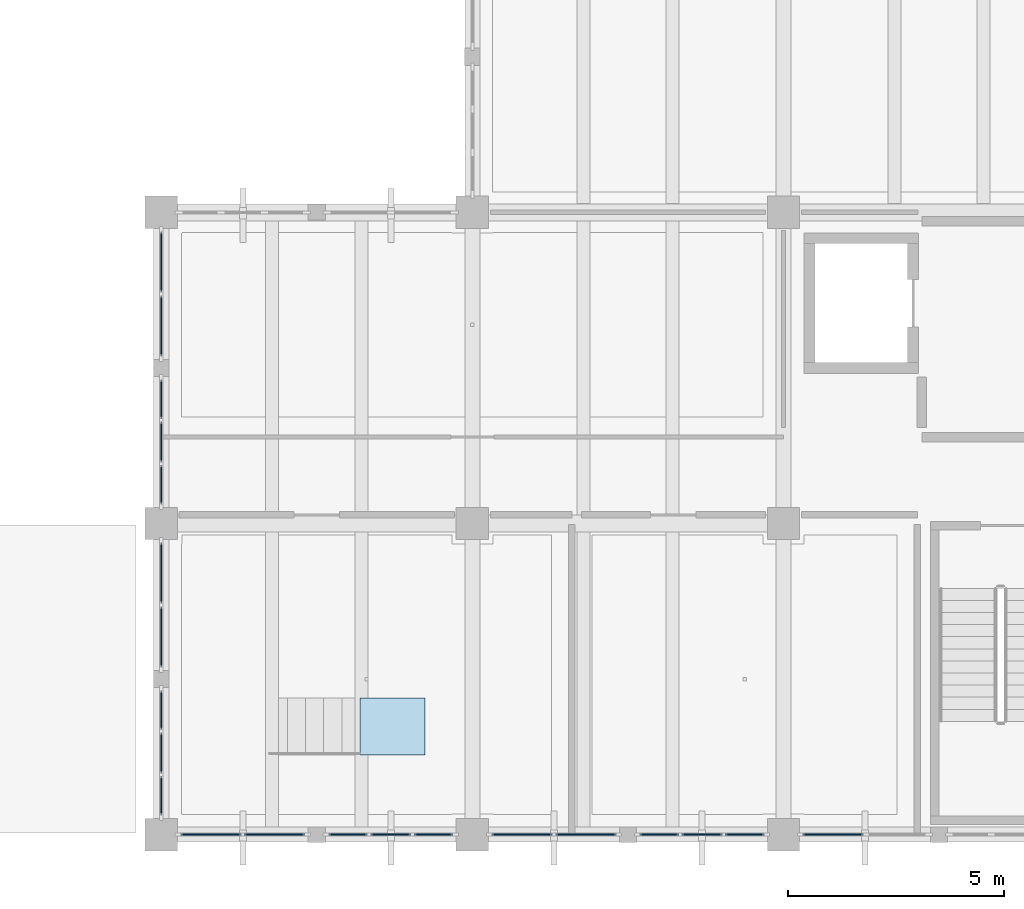
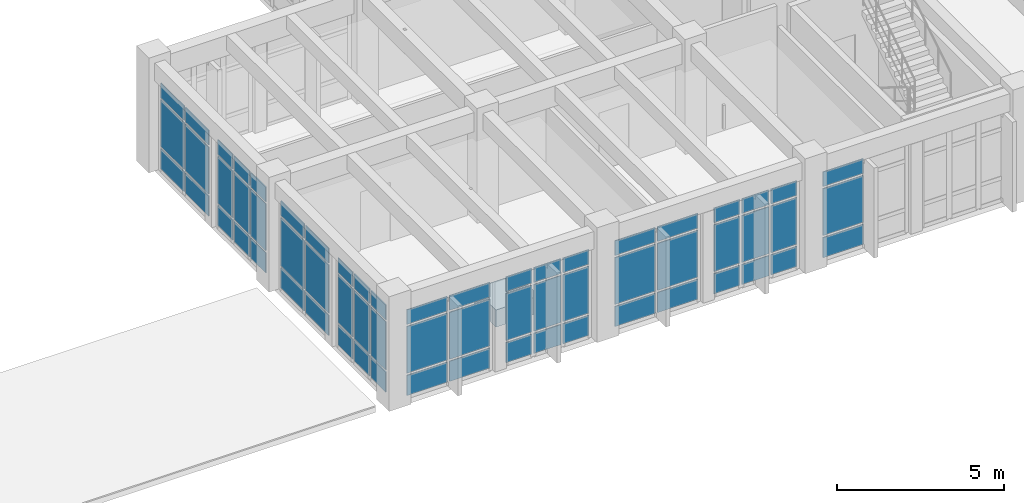
# One storey, part 86 of 136: 63 plates, 1 slab, 9 elements without a shape of their own.
"""IFC4 building model written with IfcOpenShell, lengths in metres."""

from ifc_helpers import new_model, si_unit, direction, frame, origin, origin_2d, place, context, subcontext, project, spatial, polyline, rectangle, outline, extrude, material, layer, layer_set, type_object, element, aggregate, save


model = new_model("IFC4")

# Units and contexts
model_context = context("Model", 3, precision=1e-05, world=origin(), true_north=direction((0.0, 1.0)))
body_context = subcontext(model_context, "Body", "Model", "MODEL_VIEW")
ifc_project = project(units=[si_unit("LENGTHUNIT", "METRE"), si_unit("AREAUNIT", "SQUARE_METRE"), si_unit("VOLUMEUNIT", "CUBIC_METRE"), si_unit("PLANEANGLEUNIT", "RADIAN"), si_unit("MASSUNIT", "GRAM", prefix="KILO")], contexts=[model_context])

# Site, building, storey
site_placement = place(None, origin())
site = spatial("IfcSite", under=ifc_project, at=site_placement, CompositionType="ELEMENT")
building_placement = place(site_placement, origin())
building = spatial("IfcBuilding", under=site, at=building_placement, Name="Koriwan Promenade Central Fire Station", CompositionType="ELEMENT")
storey_placement = place(building_placement, frame((0.0, 0.0, 5.39990234375)))
storey = spatial("IfcBuildingStorey", under=building, at=storey_placement, Name="L01", CompositionType="ELEMENT", Elevation=5.39990234375)

# Curtain wall, plates
ifc_material_1 = material(Name="Aluminium EN AW-6063-T6 and low-E glazing", Category="aluminium")
ifc_layer_1 = layer(ifc_material_1, 0.159912109375, Name="Aluminium EN AW-6063-T6 and low-E glazing")
ifc_layer_set_1 = layer_set([ifc_layer_1], Name="Aluminium EN AW-6063-T6 and low-E glazing")
curtain_wall_type_1 = type_object("IfcCurtainWallType", Name="CurtainWall_08_303x329", PredefinedType="USERDEFINED", material=ifc_layer_set_1)
curtain_wall_1_placement = place(storey_placement, origin())
curtain_wall_1 = element("IfcCurtainWall", 1, at=curtain_wall_1_placement, inside=storey, type_object=curtain_wall_type_1, Name="V5 L01 unitised curtain wall 164", ObjectType="UNITISED CURTAIN WALL", PredefinedType="USERDEFINED")
ifc_material_2 = material(Name="Solar-control low-E acoustic glazing", Category="glass")
ifc_layer_2 = layer(ifc_material_2, 0.031982421875, Name="Solar-control low-E acoustic glazing")
ifc_layer_set_2 = layer_set([ifc_layer_2], Name="Solar-control low-E acoustic glazing")
plate_type = type_object("IfcPlateType", Name="CWPanel_32", PredefinedType="CURTAIN_PANEL", material=ifc_layer_set_2)
plate_1_placement = place(storey_placement, frame((159.550048828125, 0.0, 0.0751953125), z_axis=(0.0, 0.0, 1.0), x_axis=(-1.0, 0.0, 0.0)))
plate_1 = element("IfcPlate", 2, at=plate_1_placement, type_object=plate_type, Name="CW-08 panel 2.1", PredefinedType="CURTAIN_PANEL", context=body_context, shape_type="SweptSolid", body=[
    extrude(rectangle(XDim=1.39990234375, YDim=0.031982421875, at=origin_2d()), origin(), (0.0, 0.0, 1.0), 0.737548828125),
])
plate_2_placement = place(storey_placement, frame((159.550048828125, 0.0, 0.8876953125), z_axis=(0.0, 0.0, 1.0), x_axis=(-1.0, 0.0, 0.0)))
plate_2 = element("IfcPlate", 3, at=plate_2_placement, type_object=plate_type, Name="CW-08 panel 2.2", PredefinedType="CURTAIN_PANEL", context=body_context, shape_type="SweptSolid", body=[
    extrude(rectangle(XDim=1.39990234375, YDim=0.031982421875, at=origin_2d()), origin(), (0.0, 0.0, 1.0), 1.715087890625),
])
plate_3_placement = place(storey_placement, frame((159.550048828125, 0.0, 2.677490234375), z_axis=(0.0, 0.0, 1.0), x_axis=(-1.0, 0.0, 0.0)))
plate_3 = element("IfcPlate", 4, at=plate_3_placement, type_object=plate_type, Name="CW-08 panel 2.3", PredefinedType="CURTAIN_PANEL", context=body_context, shape_type="SweptSolid", body=[
    extrude(rectangle(XDim=1.39990234375, YDim=0.031982421875, at=origin_2d()), origin(), (0.0, 0.0, 1.0), 0.53759765625),
])
aggregate(curtain_wall_1, [plate_1, plate_2, plate_3])

ifc_layer_3 = layer(ifc_material_1, 0.159912109375, Name="Aluminium EN AW-6063-T6 and low-E glazing")
ifc_layer_set_3 = layer_set([ifc_layer_3], Name="Aluminium EN AW-6063-T6 and low-E glazing")
curtain_wall_type_2 = type_object("IfcCurtainWallType", Name="CurtainWall_61_303x329", PredefinedType="USERDEFINED", material=ifc_layer_set_3)
curtain_wall_2_placement = place(storey_placement, origin())
curtain_wall_2 = element("IfcCurtainWall", 5, at=curtain_wall_2_placement, inside=storey, type_object=curtain_wall_type_2, Name="V5 L01 unitised curtain wall 165", ObjectType="UNITISED CURTAIN WALL", PredefinedType="USERDEFINED")
plate_4_placement = place(storey_placement, frame((157.502197265625, 0.0, 0.0751953125), z_axis=(0.0, 0.0, 1.0), x_axis=(-1.0, 0.0, 0.0)))
plate_4 = element("IfcPlate", 6, at=plate_4_placement, type_object=plate_type, Name="CW-61 panel 1.1", PredefinedType="CURTAIN_PANEL", context=body_context, shape_type="SweptSolid", body=[
    extrude(rectangle(XDim=0.895751953125, YDim=0.031982421875, at=origin_2d()), origin(), (0.0, 0.0, 1.0), 0.737548828125),
])
plate_5_placement = place(storey_placement, frame((157.502197265625, 0.0, 0.8876953125), z_axis=(0.0, 0.0, 1.0), x_axis=(-1.0, 0.0, 0.0)))
plate_5 = element("IfcPlate", 7, at=plate_5_placement, type_object=plate_type, Name="CW-61 panel 1.2", PredefinedType="CURTAIN_PANEL", context=body_context, shape_type="SweptSolid", body=[
    extrude(rectangle(XDim=0.895751953125, YDim=0.031982421875, at=origin_2d()), origin(), (0.0, 0.0, 1.0), 1.715087890625),
])
plate_6_placement = place(storey_placement, frame((157.502197265625, 0.0, 2.677490234375), z_axis=(0.0, 0.0, 1.0), x_axis=(-1.0, 0.0, 0.0)))
plate_6 = element("IfcPlate", 8, at=plate_6_placement, type_object=plate_type, Name="CW-61 panel 1.3", PredefinedType="CURTAIN_PANEL", context=body_context, shape_type="SweptSolid", body=[
    extrude(rectangle(XDim=0.895751953125, YDim=0.031982421875, at=origin_2d()), origin(), (0.0, 0.0, 1.0), 0.53759765625),
])
plate_7_placement = place(storey_placement, frame((156.512451171875, 0.0, 0.0751953125), z_axis=(0.0, 0.0, 1.0), x_axis=(-1.0, 0.0, 0.0)))
plate_7 = element("IfcPlate", 9, at=plate_7_placement, type_object=plate_type, Name="CW-61 panel 2.1", PredefinedType="CURTAIN_PANEL", context=body_context, shape_type="SweptSolid", body=[
    extrude(rectangle(XDim=0.933349609375, YDim=0.031982421875, at=origin_2d()), origin(), (0.0, 0.0, 1.0), 0.737548828125),
])
plate_8_placement = place(storey_placement, frame((156.512451171875, 0.0, 0.8876953125), z_axis=(0.0, 0.0, 1.0), x_axis=(-1.0, 0.0, 0.0)))
plate_8 = element("IfcPlate", 10, at=plate_8_placement, type_object=plate_type, Name="CW-61 panel 2.2", PredefinedType="CURTAIN_PANEL", context=body_context, shape_type="SweptSolid", body=[
    extrude(rectangle(XDim=0.933349609375, YDim=0.031982421875, at=origin_2d()), origin(), (0.0, 0.0, 1.0), 1.715087890625),
])
plate_9_placement = place(storey_placement, frame((156.512451171875, 0.0, 2.677490234375), z_axis=(0.0, 0.0, 1.0), x_axis=(-1.0, 0.0, 0.0)))
plate_9 = element("IfcPlate", 11, at=plate_9_placement, type_object=plate_type, Name="CW-61 panel 2.3", PredefinedType="CURTAIN_PANEL", context=body_context, shape_type="SweptSolid", body=[
    extrude(rectangle(XDim=0.933349609375, YDim=0.031982421875, at=origin_2d()), origin(), (0.0, 0.0, 1.0), 0.53759765625),
])
plate_10_placement = place(storey_placement, frame((155.52294921875, 0.0, 0.0751953125), z_axis=(0.0, 0.0, 1.0), x_axis=(-1.0, 0.0, 0.0)))
plate_10 = element("IfcPlate", 12, at=plate_10_placement, type_object=plate_type, Name="CW-61 panel 3.1", PredefinedType="CURTAIN_PANEL", context=body_context, shape_type="SweptSolid", body=[
    extrude(rectangle(XDim=0.895751953125, YDim=0.031982421875, at=origin_2d()), origin(), (0.0, 0.0, 1.0), 0.737548828125),
])
plate_11_placement = place(storey_placement, frame((155.52294921875, 0.0, 0.8876953125), z_axis=(0.0, 0.0, 1.0), x_axis=(-1.0, 0.0, 0.0)))
plate_11 = element("IfcPlate", 13, at=plate_11_placement, type_object=plate_type, Name="CW-61 panel 3.2", PredefinedType="CURTAIN_PANEL", context=body_context, shape_type="SweptSolid", body=[
    extrude(rectangle(XDim=0.895751953125, YDim=0.031982421875, at=origin_2d()), origin(), (0.0, 0.0, 1.0), 1.715087890625),
])
plate_12_placement = place(storey_placement, frame((155.52294921875, 0.0, 2.677490234375), z_axis=(0.0, 0.0, 1.0), x_axis=(-1.0, 0.0, 0.0)))
plate_12 = element("IfcPlate", 14, at=plate_12_placement, type_object=plate_type, Name="CW-61 panel 3.3", PredefinedType="CURTAIN_PANEL", context=body_context, shape_type="SweptSolid", body=[
    extrude(rectangle(XDim=0.895751953125, YDim=0.031982421875, at=origin_2d()), origin(), (0.0, 0.0, 1.0), 0.53759765625),
])
aggregate(curtain_wall_2, [plate_4, plate_5, plate_6, plate_7, plate_8, plate_9, plate_10, plate_11, plate_12])

curtain_wall_3_placement = place(storey_placement, origin())
curtain_wall_3 = element("IfcCurtainWall", 15, at=curtain_wall_3_placement, inside=storey, type_object=curtain_wall_type_1, Name="V5 L01 unitised curtain wall 166", ObjectType="UNITISED CURTAIN WALL", PredefinedType="USERDEFINED")
plate_13_placement = place(storey_placement, frame((153.824951171875, 0.0, 0.0751953125), z_axis=(0.0, 0.0, 1.0), x_axis=(-1.0, 0.0, 0.0)))
plate_13 = element("IfcPlate", 16, at=plate_13_placement, type_object=plate_type, Name="CW-08 panel 1.1", PredefinedType="CURTAIN_PANEL", context=body_context, shape_type="SweptSolid", body=[
    extrude(rectangle(XDim=1.39990234375, YDim=0.031982421875, at=origin_2d()), origin(), (0.0, 0.0, 1.0), 0.737548828125),
])
plate_14_placement = place(storey_placement, frame((153.824951171875, 0.0, 0.8876953125), z_axis=(0.0, 0.0, 1.0), x_axis=(-1.0, 0.0, 0.0)))
plate_14 = element("IfcPlate", 17, at=plate_14_placement, type_object=plate_type, Name="CW-08 panel 1.2", PredefinedType="CURTAIN_PANEL", context=body_context, shape_type="SweptSolid", body=[
    extrude(rectangle(XDim=1.39990234375, YDim=0.031982421875, at=origin_2d()), origin(), (0.0, 0.0, 1.0), 1.715087890625),
])
plate_15_placement = place(storey_placement, frame((153.824951171875, 0.0, 2.677490234375), z_axis=(0.0, 0.0, 1.0), x_axis=(-1.0, 0.0, 0.0)))
plate_15 = element("IfcPlate", 18, at=plate_15_placement, type_object=plate_type, Name="CW-08 panel 1.3", PredefinedType="CURTAIN_PANEL", context=body_context, shape_type="SweptSolid", body=[
    extrude(rectangle(XDim=1.39990234375, YDim=0.031982421875, at=origin_2d()), origin(), (0.0, 0.0, 1.0), 0.53759765625),
])
plate_16_placement = place(storey_placement, frame((152.35009765625, 0.0, 0.0751953125), z_axis=(0.0, 0.0, 1.0), x_axis=(-1.0, 0.0, 0.0)))
plate_16 = element("IfcPlate", 19, at=plate_16_placement, type_object=plate_type, Name="CW-08 panel 2.1", PredefinedType="CURTAIN_PANEL", context=body_context, shape_type="SweptSolid", body=[
    extrude(rectangle(XDim=1.39990234375, YDim=0.031982421875, at=origin_2d()), origin(), (0.0, 0.0, 1.0), 0.737548828125),
])
plate_17_placement = place(storey_placement, frame((152.35009765625, 0.0, 0.8876953125), z_axis=(0.0, 0.0, 1.0), x_axis=(-1.0, 0.0, 0.0)))
plate_17 = element("IfcPlate", 20, at=plate_17_placement, type_object=plate_type, Name="CW-08 panel 2.2", PredefinedType="CURTAIN_PANEL", context=body_context, shape_type="SweptSolid", body=[
    extrude(rectangle(XDim=1.39990234375, YDim=0.031982421875, at=origin_2d()), origin(), (0.0, 0.0, 1.0), 1.715087890625),
])
plate_18_placement = place(storey_placement, frame((152.35009765625, 0.0, 2.677490234375), z_axis=(0.0, 0.0, 1.0), x_axis=(-1.0, 0.0, 0.0)))
plate_18 = element("IfcPlate", 21, at=plate_18_placement, type_object=plate_type, Name="CW-08 panel 2.3", PredefinedType="CURTAIN_PANEL", context=body_context, shape_type="SweptSolid", body=[
    extrude(rectangle(XDim=1.39990234375, YDim=0.031982421875, at=origin_2d()), origin(), (0.0, 0.0, 1.0), 0.53759765625),
])
aggregate(curtain_wall_3, [plate_13, plate_14, plate_15, plate_16, plate_17, plate_18])

ifc_layer_4 = layer(ifc_material_1, 0.159912109375, Name="Aluminium EN AW-6063-T6 and low-E glazing")
ifc_layer_set_4 = layer_set([ifc_layer_4], Name="Aluminium EN AW-6063-T6 and low-E glazing")
curtain_wall_type_3 = type_object("IfcCurtainWallType", Name="CurtainWall_62_302x329", PredefinedType="USERDEFINED", material=ifc_layer_set_4)
curtain_wall_4_placement = place(storey_placement, origin())
curtain_wall_4 = element("IfcCurtainWall", 22, at=curtain_wall_4_placement, inside=storey, type_object=curtain_wall_type_3, Name="V5 L01 unitised curtain wall 167", ObjectType="UNITISED CURTAIN WALL", PredefinedType="USERDEFINED")
plate_19_placement = place(storey_placement, frame((150.302001953125, 0.0, 0.0751953125), z_axis=(0.0, 0.0, 1.0), x_axis=(-1.0, 0.0, 0.0)))
plate_19 = element("IfcPlate", 23, at=plate_19_placement, type_object=plate_type, Name="CW-62 panel 1.1", PredefinedType="CURTAIN_PANEL", context=body_context, shape_type="SweptSolid", body=[
    extrude(rectangle(XDim=0.895751953125, YDim=0.031982421875, at=origin_2d()), origin(), (0.0, 0.0, 1.0), 0.737548828125),
])
plate_20_placement = place(storey_placement, frame((150.302001953125, 0.0, 0.8876953125), z_axis=(0.0, 0.0, 1.0), x_axis=(-1.0, 0.0, 0.0)))
plate_20 = element("IfcPlate", 24, at=plate_20_placement, type_object=plate_type, Name="CW-62 panel 1.2", PredefinedType="CURTAIN_PANEL", context=body_context, shape_type="SweptSolid", body=[
    extrude(rectangle(XDim=0.895751953125, YDim=0.031982421875, at=origin_2d()), origin(), (0.0, 0.0, 1.0), 1.715087890625),
])
plate_21_placement = place(storey_placement, frame((150.302001953125, 0.0, 2.677490234375), z_axis=(0.0, 0.0, 1.0), x_axis=(-1.0, 0.0, 0.0)))
plate_21 = element("IfcPlate", 25, at=plate_21_placement, type_object=plate_type, Name="CW-62 panel 1.3", PredefinedType="CURTAIN_PANEL", context=body_context, shape_type="SweptSolid", body=[
    extrude(rectangle(XDim=0.895751953125, YDim=0.031982421875, at=origin_2d()), origin(), (0.0, 0.0, 1.0), 0.53759765625),
])
plate_22_placement = place(storey_placement, frame((149.3125, 0.0, 0.0751953125), z_axis=(0.0, 0.0, 1.0), x_axis=(-1.0, 0.0, 0.0)))
plate_22 = element("IfcPlate", 26, at=plate_22_placement, type_object=plate_type, Name="CW-62 panel 2.1", PredefinedType="CURTAIN_PANEL", context=body_context, shape_type="SweptSolid", body=[
    extrude(rectangle(XDim=0.933349609375, YDim=0.031982421875, at=origin_2d()), origin(), (0.0, 0.0, 1.0), 0.737548828125),
])
plate_23_placement = place(storey_placement, frame((149.3125, 0.0, 0.8876953125), z_axis=(0.0, 0.0, 1.0), x_axis=(-1.0, 0.0, 0.0)))
plate_23 = element("IfcPlate", 27, at=plate_23_placement, type_object=plate_type, Name="CW-62 panel 2.2", PredefinedType="CURTAIN_PANEL", context=body_context, shape_type="SweptSolid", body=[
    extrude(rectangle(XDim=0.933349609375, YDim=0.031982421875, at=origin_2d()), origin(), (0.0, 0.0, 1.0), 1.715087890625),
])
plate_24_placement = place(storey_placement, frame((149.3125, 0.0, 2.677490234375), z_axis=(0.0, 0.0, 1.0), x_axis=(-1.0, 0.0, 0.0)))
plate_24 = element("IfcPlate", 28, at=plate_24_placement, type_object=plate_type, Name="CW-62 panel 2.3", PredefinedType="CURTAIN_PANEL", context=body_context, shape_type="SweptSolid", body=[
    extrude(rectangle(XDim=0.933349609375, YDim=0.031982421875, at=origin_2d()), origin(), (0.0, 0.0, 1.0), 0.53759765625),
])
plate_25_placement = place(storey_placement, frame((148.322998046875, 0.0, 0.0751953125), z_axis=(0.0, 0.0, 1.0), x_axis=(-1.0, 0.0, 0.0)))
plate_25 = element("IfcPlate", 29, at=plate_25_placement, type_object=plate_type, Name="CW-62 panel 3.1", PredefinedType="CURTAIN_PANEL", context=body_context, shape_type="SweptSolid", body=[
    extrude(rectangle(XDim=0.895751953125, YDim=0.031982421875, at=origin_2d()), origin(), (0.0, 0.0, 1.0), 0.737548828125),
])
plate_26_placement = place(storey_placement, frame((148.322998046875, 0.0, 0.8876953125), z_axis=(0.0, 0.0, 1.0), x_axis=(-1.0, 0.0, 0.0)))
plate_26 = element("IfcPlate", 30, at=plate_26_placement, type_object=plate_type, Name="CW-62 panel 3.2", PredefinedType="CURTAIN_PANEL", context=body_context, shape_type="SweptSolid", body=[
    extrude(rectangle(XDim=0.895751953125, YDim=0.031982421875, at=origin_2d()), origin(), (0.0, 0.0, 1.0), 1.715087890625),
])
plate_27_placement = place(storey_placement, frame((148.322998046875, 0.0, 2.677490234375), z_axis=(0.0, 0.0, 1.0), x_axis=(-1.0, 0.0, 0.0)))
plate_27 = element("IfcPlate", 31, at=plate_27_placement, type_object=plate_type, Name="CW-62 panel 3.3", PredefinedType="CURTAIN_PANEL", context=body_context, shape_type="SweptSolid", body=[
    extrude(rectangle(XDim=0.895751953125, YDim=0.031982421875, at=origin_2d()), origin(), (0.0, 0.0, 1.0), 0.53759765625),
])
aggregate(curtain_wall_4, [plate_19, plate_20, plate_21, plate_22, plate_23, plate_24, plate_25, plate_26, plate_27])

curtain_wall_5_placement = place(storey_placement, origin())
curtain_wall_5 = element("IfcCurtainWall", 32, at=curtain_wall_5_placement, inside=storey, type_object=curtain_wall_type_1, Name="V5 L01 unitised curtain wall 168", ObjectType="UNITISED CURTAIN WALL", PredefinedType="USERDEFINED")
plate_28_placement = place(storey_placement, frame((146.625, 0.0, 0.0751953125), z_axis=(0.0, 0.0, 1.0), x_axis=(-1.0, 0.0, 0.0)))
plate_28 = element("IfcPlate", 33, at=plate_28_placement, type_object=plate_type, Name="CW-08 panel 1.1", PredefinedType="CURTAIN_PANEL", context=body_context, shape_type="SweptSolid", body=[
    extrude(rectangle(XDim=1.39990234375, YDim=0.031982421875, at=origin_2d()), origin(), (0.0, 0.0, 1.0), 0.737548828125),
])
plate_29_placement = place(storey_placement, frame((146.625, 0.0, 0.8876953125), z_axis=(0.0, 0.0, 1.0), x_axis=(-1.0, 0.0, 0.0)))
plate_29 = element("IfcPlate", 34, at=plate_29_placement, type_object=plate_type, Name="CW-08 panel 1.2", PredefinedType="CURTAIN_PANEL", context=body_context, shape_type="SweptSolid", body=[
    extrude(rectangle(XDim=1.39990234375, YDim=0.031982421875, at=origin_2d()), origin(), (0.0, 0.0, 1.0), 1.715087890625),
])
plate_30_placement = place(storey_placement, frame((146.625, 0.0, 2.677490234375), z_axis=(0.0, 0.0, 1.0), x_axis=(-1.0, 0.0, 0.0)))
plate_30 = element("IfcPlate", 35, at=plate_30_placement, type_object=plate_type, Name="CW-08 panel 1.3", PredefinedType="CURTAIN_PANEL", context=body_context, shape_type="SweptSolid", body=[
    extrude(rectangle(XDim=1.39990234375, YDim=0.031982421875, at=origin_2d()), origin(), (0.0, 0.0, 1.0), 0.53759765625),
])
plate_31_placement = place(storey_placement, frame((145.14990234375, 0.0, 0.0751953125), z_axis=(0.0, 0.0, 1.0), x_axis=(-1.0, 0.0, 0.0)))
plate_31 = element("IfcPlate", 36, at=plate_31_placement, type_object=plate_type, Name="CW-08 panel 2.1", PredefinedType="CURTAIN_PANEL", context=body_context, shape_type="SweptSolid", body=[
    extrude(rectangle(XDim=1.39990234375, YDim=0.031982421875, at=origin_2d()), origin(), (0.0, 0.0, 1.0), 0.737548828125),
])
plate_32_placement = place(storey_placement, frame((145.14990234375, 0.0, 0.8876953125), z_axis=(0.0, 0.0, 1.0), x_axis=(-1.0, 0.0, 0.0)))
plate_32 = element("IfcPlate", 37, at=plate_32_placement, type_object=plate_type, Name="CW-08 panel 2.2", PredefinedType="CURTAIN_PANEL", context=body_context, shape_type="SweptSolid", body=[
    extrude(rectangle(XDim=1.39990234375, YDim=0.031982421875, at=origin_2d()), origin(), (0.0, 0.0, 1.0), 1.715087890625),
])
plate_33_placement = place(storey_placement, frame((145.14990234375, 0.0, 2.677490234375), z_axis=(0.0, 0.0, 1.0), x_axis=(-1.0, 0.0, 0.0)))
plate_33 = element("IfcPlate", 38, at=plate_33_placement, type_object=plate_type, Name="CW-08 panel 2.3", PredefinedType="CURTAIN_PANEL", context=body_context, shape_type="SweptSolid", body=[
    extrude(rectangle(XDim=1.39990234375, YDim=0.031982421875, at=origin_2d()), origin(), (0.0, 0.0, 1.0), 0.53759765625),
])
aggregate(curtain_wall_5, [plate_28, plate_29, plate_30, plate_31, plate_32, plate_33])

ifc_layer_5 = layer(ifc_material_1, 0.159912109375, Name="Aluminium EN AW-6063-T6 and low-E glazing")
ifc_layer_set_5 = layer_set([ifc_layer_5], Name="Aluminium EN AW-6063-T6 and low-E glazing")
curtain_wall_type_4 = type_object("IfcCurtainWallType", Name="CurtainWall_63_302x334", PredefinedType="USERDEFINED", material=ifc_layer_set_5)
curtain_wall_6_placement = place(storey_placement, origin())
curtain_wall_6 = element("IfcCurtainWall", 39, at=curtain_wall_6_placement, inside=storey, type_object=curtain_wall_type_4, Name="V5 L01 unitised curtain wall 169", ObjectType="UNITISED CURTAIN WALL", PredefinedType="USERDEFINED")
plate_34_placement = place(storey_placement, frame((144.0, 0.89794921875, 0.0751953125), z_axis=(0.0, 0.0, 1.0), x_axis=(0.0, 1.0, 0.0)))
plate_34 = element("IfcPlate", 40, at=plate_34_placement, type_object=plate_type, Name="CW-63 panel 1.1", PredefinedType="CURTAIN_PANEL", context=body_context, shape_type="SweptSolid", body=[
    extrude(rectangle(XDim=0.895751953125, YDim=0.031982421875, at=origin_2d()), origin(), (0.0, 0.0, 1.0), 0.737548828125),
])
plate_35_placement = place(storey_placement, frame((144.0, 0.89794921875, 0.8876953125), z_axis=(0.0, 0.0, 1.0), x_axis=(0.0, 1.0, 0.0)))
plate_35 = element("IfcPlate", 41, at=plate_35_placement, type_object=plate_type, Name="CW-63 panel 1.2", PredefinedType="CURTAIN_PANEL", context=body_context, shape_type="SweptSolid", body=[
    extrude(rectangle(XDim=0.895751953125, YDim=0.031982421875, at=origin_2d()), origin(), (0.0, 0.0, 1.0), 1.764892578125),
])
plate_36_placement = place(storey_placement, frame((144.0, 0.89794921875, 2.7275390625), z_axis=(0.0, 0.0, 1.0), x_axis=(0.0, 1.0, 0.0)))
plate_36 = element("IfcPlate", 42, at=plate_36_placement, type_object=plate_type, Name="CW-63 panel 1.3", PredefinedType="CURTAIN_PANEL", context=body_context, shape_type="SweptSolid", body=[
    extrude(rectangle(XDim=0.895751953125, YDim=0.031982421875, at=origin_2d()), origin(), (0.0, 0.0, 1.0), 0.53759765625),
])
plate_37_placement = place(storey_placement, frame((144.0, 1.887451171875, 0.0751953125), z_axis=(0.0, 0.0, 1.0), x_axis=(0.0, 1.0, 0.0)))
plate_37 = element("IfcPlate", 43, at=plate_37_placement, type_object=plate_type, Name="CW-63 panel 2.1", PredefinedType="CURTAIN_PANEL", context=body_context, shape_type="SweptSolid", body=[
    extrude(rectangle(XDim=0.933349609375, YDim=0.031982421875, at=origin_2d()), origin(), (0.0, 0.0, 1.0), 0.737548828125),
])
plate_38_placement = place(storey_placement, frame((144.0, 1.887451171875, 0.8876953125), z_axis=(0.0, 0.0, 1.0), x_axis=(0.0, 1.0, 0.0)))
plate_38 = element("IfcPlate", 44, at=plate_38_placement, type_object=plate_type, Name="CW-63 panel 2.2", PredefinedType="CURTAIN_PANEL", context=body_context, shape_type="SweptSolid", body=[
    extrude(rectangle(XDim=0.933349609375, YDim=0.031982421875, at=origin_2d()), origin(), (0.0, 0.0, 1.0), 1.764892578125),
])
plate_39_placement = place(storey_placement, frame((144.0, 1.887451171875, 2.7275390625), z_axis=(0.0, 0.0, 1.0), x_axis=(0.0, 1.0, 0.0)))
plate_39 = element("IfcPlate", 45, at=plate_39_placement, type_object=plate_type, Name="CW-63 panel 2.3", PredefinedType="CURTAIN_PANEL", context=body_context, shape_type="SweptSolid", body=[
    extrude(rectangle(XDim=0.933349609375, YDim=0.031982421875, at=origin_2d()), origin(), (0.0, 0.0, 1.0), 0.53759765625),
])
plate_40_placement = place(storey_placement, frame((144.0, 2.877197265625, 0.0751953125), z_axis=(0.0, 0.0, 1.0), x_axis=(0.0, 1.0, 0.0)))
plate_40 = element("IfcPlate", 46, at=plate_40_placement, type_object=plate_type, Name="CW-63 panel 3.1", PredefinedType="CURTAIN_PANEL", context=body_context, shape_type="SweptSolid", body=[
    extrude(rectangle(XDim=0.895751953125, YDim=0.031982421875, at=origin_2d()), origin(), (0.0, 0.0, 1.0), 0.737548828125),
])
plate_41_placement = place(storey_placement, frame((144.0, 2.877197265625, 0.8876953125), z_axis=(0.0, 0.0, 1.0), x_axis=(0.0, 1.0, 0.0)))
plate_41 = element("IfcPlate", 47, at=plate_41_placement, type_object=plate_type, Name="CW-63 panel 3.2", PredefinedType="CURTAIN_PANEL", context=body_context, shape_type="SweptSolid", body=[
    extrude(rectangle(XDim=0.895751953125, YDim=0.031982421875, at=origin_2d()), origin(), (0.0, 0.0, 1.0), 1.764892578125),
])
plate_42_placement = place(storey_placement, frame((144.0, 2.877197265625, 2.7275390625), z_axis=(0.0, 0.0, 1.0), x_axis=(0.0, 1.0, 0.0)))
plate_42 = element("IfcPlate", 48, at=plate_42_placement, type_object=plate_type, Name="CW-63 panel 3.3", PredefinedType="CURTAIN_PANEL", context=body_context, shape_type="SweptSolid", body=[
    extrude(rectangle(XDim=0.895751953125, YDim=0.031982421875, at=origin_2d()), origin(), (0.0, 0.0, 1.0), 0.53759765625),
])
aggregate(curtain_wall_6, [plate_34, plate_35, plate_36, plate_37, plate_38, plate_39, plate_40, plate_41, plate_42])

ifc_layer_6 = layer(ifc_material_1, 0.159912109375, Name="Aluminium EN AW-6063-T6 and low-E glazing")
ifc_layer_set_6 = layer_set([ifc_layer_6], Name="Aluminium EN AW-6063-T6 and low-E glazing")
curtain_wall_type_5 = type_object("IfcCurtainWallType", Name="CurtainWall_64_303x334", PredefinedType="USERDEFINED", material=ifc_layer_set_6)
curtain_wall_7_placement = place(storey_placement, origin())
curtain_wall_7 = element("IfcCurtainWall", 49, at=curtain_wall_7_placement, inside=storey, type_object=curtain_wall_type_5, Name="V5 L01 unitised curtain wall 170", ObjectType="UNITISED CURTAIN WALL", PredefinedType="USERDEFINED")
plate_43_placement = place(storey_placement, frame((144.0, 4.574951171875, 0.0751953125), z_axis=(0.0, 0.0, 1.0), x_axis=(0.0, 1.0, 0.0)))
plate_43 = element("IfcPlate", 50, at=plate_43_placement, type_object=plate_type, Name="CW-64 panel 1.1", PredefinedType="CURTAIN_PANEL", context=body_context, shape_type="SweptSolid", body=[
    extrude(rectangle(XDim=1.39990234375, YDim=0.031982421875, at=origin_2d()), origin(), (0.0, 0.0, 1.0), 0.737548828125),
])
plate_44_placement = place(storey_placement, frame((144.0, 4.574951171875, 0.8876953125), z_axis=(0.0, 0.0, 1.0), x_axis=(0.0, 1.0, 0.0)))
plate_44 = element("IfcPlate", 51, at=plate_44_placement, type_object=plate_type, Name="CW-64 panel 1.2", PredefinedType="CURTAIN_PANEL", context=body_context, shape_type="SweptSolid", body=[
    extrude(rectangle(XDim=1.39990234375, YDim=0.031982421875, at=origin_2d()), origin(), (0.0, 0.0, 1.0), 1.764892578125),
])
plate_45_placement = place(storey_placement, frame((144.0, 4.574951171875, 2.7275390625), z_axis=(0.0, 0.0, 1.0), x_axis=(0.0, 1.0, 0.0)))
plate_45 = element("IfcPlate", 52, at=plate_45_placement, type_object=plate_type, Name="CW-64 panel 1.3", PredefinedType="CURTAIN_PANEL", context=body_context, shape_type="SweptSolid", body=[
    extrude(rectangle(XDim=1.39990234375, YDim=0.031982421875, at=origin_2d()), origin(), (0.0, 0.0, 1.0), 0.53759765625),
])
plate_46_placement = place(storey_placement, frame((144.0, 6.050048828125, 0.0751953125), z_axis=(0.0, 0.0, 1.0), x_axis=(0.0, 1.0, 0.0)))
plate_46 = element("IfcPlate", 53, at=plate_46_placement, type_object=plate_type, Name="CW-64 panel 2.1", PredefinedType="CURTAIN_PANEL", context=body_context, shape_type="SweptSolid", body=[
    extrude(rectangle(XDim=1.39990234375, YDim=0.031982421875, at=origin_2d()), origin(), (0.0, 0.0, 1.0), 0.737548828125),
])
plate_47_placement = place(storey_placement, frame((144.0, 6.050048828125, 0.8876953125), z_axis=(0.0, 0.0, 1.0), x_axis=(0.0, 1.0, 0.0)))
plate_47 = element("IfcPlate", 54, at=plate_47_placement, type_object=plate_type, Name="CW-64 panel 2.2", PredefinedType="CURTAIN_PANEL", context=body_context, shape_type="SweptSolid", body=[
    extrude(rectangle(XDim=1.39990234375, YDim=0.031982421875, at=origin_2d()), origin(), (0.0, 0.0, 1.0), 1.764892578125),
])
plate_48_placement = place(storey_placement, frame((144.0, 6.050048828125, 2.7275390625), z_axis=(0.0, 0.0, 1.0), x_axis=(0.0, 1.0, 0.0)))
plate_48 = element("IfcPlate", 55, at=plate_48_placement, type_object=plate_type, Name="CW-64 panel 2.3", PredefinedType="CURTAIN_PANEL", context=body_context, shape_type="SweptSolid", body=[
    extrude(rectangle(XDim=1.39990234375, YDim=0.031982421875, at=origin_2d()), origin(), (0.0, 0.0, 1.0), 0.53759765625),
])
aggregate(curtain_wall_7, [plate_43, plate_44, plate_45, plate_46, plate_47, plate_48])

curtain_wall_8_placement = place(storey_placement, origin())
curtain_wall_8 = element("IfcCurtainWall", 56, at=curtain_wall_8_placement, inside=storey, type_object=curtain_wall_type_3, Name="V5 L01 unitised curtain wall 171", ObjectType="UNITISED CURTAIN WALL", PredefinedType="USERDEFINED")
plate_49_placement = place(storey_placement, frame((144.0, 8.097900390625, 0.0751953125), z_axis=(0.0, 0.0, 1.0), x_axis=(0.0, 1.0, 0.0)))
plate_49 = element("IfcPlate", 57, at=plate_49_placement, type_object=plate_type, Name="CW-62 panel 1.1", PredefinedType="CURTAIN_PANEL", context=body_context, shape_type="SweptSolid", body=[
    extrude(rectangle(XDim=0.895751953125, YDim=0.031982421875, at=origin_2d()), origin(), (0.0, 0.0, 1.0), 0.737548828125),
])
plate_50_placement = place(storey_placement, frame((144.0, 8.097900390625, 0.8876953125), z_axis=(0.0, 0.0, 1.0), x_axis=(0.0, 1.0, 0.0)))
plate_50 = element("IfcPlate", 58, at=plate_50_placement, type_object=plate_type, Name="CW-62 panel 1.2", PredefinedType="CURTAIN_PANEL", context=body_context, shape_type="SweptSolid", body=[
    extrude(rectangle(XDim=0.895751953125, YDim=0.031982421875, at=origin_2d()), origin(), (0.0, 0.0, 1.0), 1.715087890625),
])
plate_51_placement = place(storey_placement, frame((144.0, 8.097900390625, 2.677490234375), z_axis=(0.0, 0.0, 1.0), x_axis=(0.0, 1.0, 0.0)))
plate_51 = element("IfcPlate", 59, at=plate_51_placement, type_object=plate_type, Name="CW-62 panel 1.3", PredefinedType="CURTAIN_PANEL", context=body_context, shape_type="SweptSolid", body=[
    extrude(rectangle(XDim=0.895751953125, YDim=0.031982421875, at=origin_2d()), origin(), (0.0, 0.0, 1.0), 0.53759765625),
])
plate_52_placement = place(storey_placement, frame((144.0, 9.08740234375, 0.0751953125), z_axis=(0.0, 0.0, 1.0), x_axis=(0.0, 1.0, 0.0)))
plate_52 = element("IfcPlate", 60, at=plate_52_placement, type_object=plate_type, Name="CW-62 panel 2.1", PredefinedType="CURTAIN_PANEL", context=body_context, shape_type="SweptSolid", body=[
    extrude(rectangle(XDim=0.933349609375, YDim=0.031982421875, at=origin_2d()), origin(), (0.0, 0.0, 1.0), 0.737548828125),
])
plate_53_placement = place(storey_placement, frame((144.0, 9.08740234375, 0.8876953125), z_axis=(0.0, 0.0, 1.0), x_axis=(0.0, 1.0, 0.0)))
plate_53 = element("IfcPlate", 61, at=plate_53_placement, type_object=plate_type, Name="CW-62 panel 2.2", PredefinedType="CURTAIN_PANEL", context=body_context, shape_type="SweptSolid", body=[
    extrude(rectangle(XDim=0.933349609375, YDim=0.031982421875, at=origin_2d()), origin(), (0.0, 0.0, 1.0), 1.715087890625),
])
plate_54_placement = place(storey_placement, frame((144.0, 9.08740234375, 2.677490234375), z_axis=(0.0, 0.0, 1.0), x_axis=(0.0, 1.0, 0.0)))
plate_54 = element("IfcPlate", 62, at=plate_54_placement, type_object=plate_type, Name="CW-62 panel 2.3", PredefinedType="CURTAIN_PANEL", context=body_context, shape_type="SweptSolid", body=[
    extrude(rectangle(XDim=0.933349609375, YDim=0.031982421875, at=origin_2d()), origin(), (0.0, 0.0, 1.0), 0.53759765625),
])
plate_55_placement = place(storey_placement, frame((144.0, 10.0771484375, 0.0751953125), z_axis=(0.0, 0.0, 1.0), x_axis=(0.0, 1.0, 0.0)))
plate_55 = element("IfcPlate", 63, at=plate_55_placement, type_object=plate_type, Name="CW-62 panel 3.1", PredefinedType="CURTAIN_PANEL", context=body_context, shape_type="SweptSolid", body=[
    extrude(rectangle(XDim=0.895751953125, YDim=0.031982421875, at=origin_2d()), origin(), (0.0, 0.0, 1.0), 0.737548828125),
])
plate_56_placement = place(storey_placement, frame((144.0, 10.0771484375, 0.8876953125), z_axis=(0.0, 0.0, 1.0), x_axis=(0.0, 1.0, 0.0)))
plate_56 = element("IfcPlate", 64, at=plate_56_placement, type_object=plate_type, Name="CW-62 panel 3.2", PredefinedType="CURTAIN_PANEL", context=body_context, shape_type="SweptSolid", body=[
    extrude(rectangle(XDim=0.895751953125, YDim=0.031982421875, at=origin_2d()), origin(), (0.0, 0.0, 1.0), 1.715087890625),
])
plate_57_placement = place(storey_placement, frame((144.0, 10.0771484375, 2.677490234375), z_axis=(0.0, 0.0, 1.0), x_axis=(0.0, 1.0, 0.0)))
plate_57 = element("IfcPlate", 65, at=plate_57_placement, type_object=plate_type, Name="CW-62 panel 3.3", PredefinedType="CURTAIN_PANEL", context=body_context, shape_type="SweptSolid", body=[
    extrude(rectangle(XDim=0.895751953125, YDim=0.031982421875, at=origin_2d()), origin(), (0.0, 0.0, 1.0), 0.53759765625),
])
aggregate(curtain_wall_8, [plate_49, plate_50, plate_51, plate_52, plate_53, plate_54, plate_55, plate_56, plate_57])

curtain_wall_9_placement = place(storey_placement, origin())
curtain_wall_9 = element("IfcCurtainWall", 66, at=curtain_wall_9_placement, inside=storey, type_object=curtain_wall_type_1, Name="V5 L01 unitised curtain wall 172", ObjectType="UNITISED CURTAIN WALL", PredefinedType="USERDEFINED")
plate_58_placement = place(storey_placement, frame((144.0, 11.77490234375, 0.0751953125), z_axis=(0.0, 0.0, 1.0), x_axis=(0.0, 1.0, 0.0)))
plate_58 = element("IfcPlate", 67, at=plate_58_placement, type_object=plate_type, Name="CW-08 panel 1.1", PredefinedType="CURTAIN_PANEL", context=body_context, shape_type="SweptSolid", body=[
    extrude(rectangle(XDim=1.39990234375, YDim=0.031982421875, at=origin_2d()), origin(), (0.0, 0.0, 1.0), 0.737548828125),
])
plate_59_placement = place(storey_placement, frame((144.0, 11.77490234375, 0.8876953125), z_axis=(0.0, 0.0, 1.0), x_axis=(0.0, 1.0, 0.0)))
plate_59 = element("IfcPlate", 68, at=plate_59_placement, type_object=plate_type, Name="CW-08 panel 1.2", PredefinedType="CURTAIN_PANEL", context=body_context, shape_type="SweptSolid", body=[
    extrude(rectangle(XDim=1.39990234375, YDim=0.031982421875, at=origin_2d()), origin(), (0.0, 0.0, 1.0), 1.715087890625),
])
plate_60_placement = place(storey_placement, frame((144.0, 11.77490234375, 2.677490234375), z_axis=(0.0, 0.0, 1.0), x_axis=(0.0, 1.0, 0.0)))
plate_60 = element("IfcPlate", 69, at=plate_60_placement, type_object=plate_type, Name="CW-08 panel 1.3", PredefinedType="CURTAIN_PANEL", context=body_context, shape_type="SweptSolid", body=[
    extrude(rectangle(XDim=1.39990234375, YDim=0.031982421875, at=origin_2d()), origin(), (0.0, 0.0, 1.0), 0.53759765625),
])
plate_61_placement = place(storey_placement, frame((144.0, 13.25, 0.0751953125), z_axis=(0.0, 0.0, 1.0), x_axis=(0.0, 1.0, 0.0)))
plate_61 = element("IfcPlate", 70, at=plate_61_placement, type_object=plate_type, Name="CW-08 panel 2.1", PredefinedType="CURTAIN_PANEL", context=body_context, shape_type="SweptSolid", body=[
    extrude(rectangle(XDim=1.39990234375, YDim=0.031982421875, at=origin_2d()), origin(), (0.0, 0.0, 1.0), 0.737548828125),
])
plate_62_placement = place(storey_placement, frame((144.0, 13.25, 0.8876953125), z_axis=(0.0, 0.0, 1.0), x_axis=(0.0, 1.0, 0.0)))
plate_62 = element("IfcPlate", 71, at=plate_62_placement, type_object=plate_type, Name="CW-08 panel 2.2", PredefinedType="CURTAIN_PANEL", context=body_context, shape_type="SweptSolid", body=[
    extrude(rectangle(XDim=1.39990234375, YDim=0.031982421875, at=origin_2d()), origin(), (0.0, 0.0, 1.0), 1.715087890625),
])
plate_63_placement = place(storey_placement, frame((144.0, 13.25, 2.677490234375), z_axis=(0.0, 0.0, 1.0), x_axis=(0.0, 1.0, 0.0)))
plate_63 = element("IfcPlate", 72, at=plate_63_placement, type_object=plate_type, Name="CW-08 panel 2.3", PredefinedType="CURTAIN_PANEL", context=body_context, shape_type="SweptSolid", body=[
    extrude(rectangle(XDim=1.39990234375, YDim=0.031982421875, at=origin_2d()), origin(), (0.0, 0.0, 1.0), 0.53759765625),
])
aggregate(curtain_wall_9, [plate_58, plate_59, plate_60, plate_61, plate_62, plate_63])

# Slab
ifc_material_3 = material(Name="Concrete C35/45", Category="concrete")
ifc_layer_7 = layer(ifc_material_3, 0.6298828125, Name="Concrete C35/45")
ifc_layer_set_7 = layer_set([ifc_layer_7], Name="Concrete C35/45")
slab_type = type_object("IfcSlabType", Name="DaisPlatform_630", PredefinedType="LANDING", material=ifc_layer_set_7)
slab_placement = place(storey_placement, origin())
element("IfcSlab", 73, at=slab_placement, inside=storey, type_object=slab_type, Name="L01 speaker dais platform 04", PredefinedType="LANDING", context=body_context, shape_type="SweptSolid", body=[
    extrude(outline(polyline([(148.597900390625, 1.840087890625), (150.10009765625, 1.840087890625), (150.10009765625, 3.159912109375), (148.597900390625, 3.159912109375), (148.597900390625, 1.840087890625)])), origin(), (0.0, 0.0, 1.0), 0.630126953125),
])

save(model, "model.ifc")
